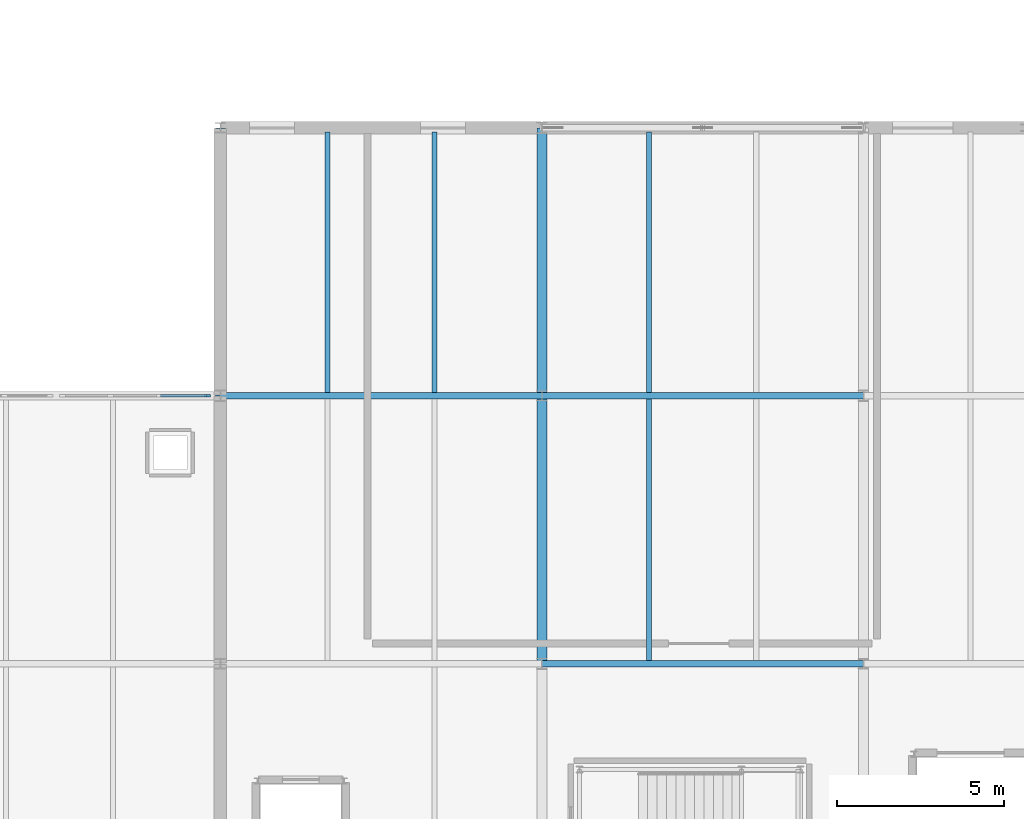
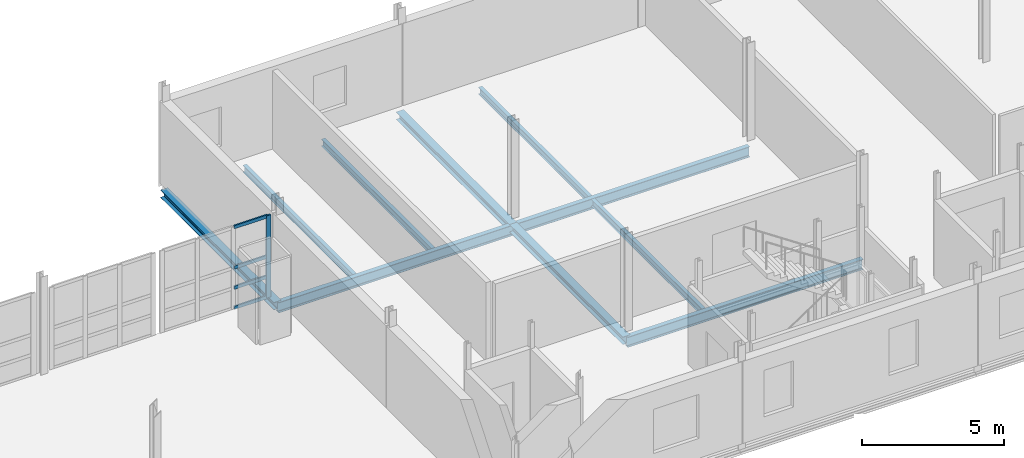
# One storey, part 38 of 73: 10 beams, 5 members, 1 element without a shape of its own.
"""IFC4 building model written with IfcOpenShell, lengths in metres."""

from ifc_helpers import new_model, si_unit, direction, frame, origin, origin_2d, place, context, subcontext, project, spatial, rectangle, i_section, extrude, material, layer, layer_set, material_profile, profile_set, type_object, element, aggregate, save


model = new_model("IFC4")

# Units and contexts
model_context = context("Model", 3, precision=1e-05, world=origin(), true_north=direction((0.0, 1.0)))
body_context = subcontext(model_context, "Body", "Model", "MODEL_VIEW")
ifc_project = project(units=[si_unit("LENGTHUNIT", "METRE"), si_unit("AREAUNIT", "SQUARE_METRE"), si_unit("VOLUMEUNIT", "CUBIC_METRE"), si_unit("PLANEANGLEUNIT", "RADIAN"), si_unit("MASSUNIT", "GRAM", prefix="KILO")], contexts=[model_context])

# Site, building, storey
site_placement = place(None, origin())
site = spatial("IfcSite", under=ifc_project, at=site_placement, CompositionType="ELEMENT")
building_placement = place(site_placement, origin())
building = spatial("IfcBuilding", under=site, at=building_placement, Name="Alderhovde Museum", CompositionType="ELEMENT")
storey_placement = place(building_placement, frame((0.0, 0.0, 12.89990234375)))
storey = spatial("IfcBuildingStorey", under=building, at=storey_placement, Name="L03", CompositionType="ELEMENT", Elevation=12.89990234375)

# Beams
ifc_material_1 = material(Name="Steel S355J2", Category="steel")
ifc_material_profile_1 = material_profile(ifc_material_1, i_section(OverallWidth=0.300048828125, OverallDepth=0.330078125, WebThickness=0.009521484375, FlangeThickness=0.0166015625, FilletRadius=0.027099609375, at=origin_2d()), Name="HEA 340")
ifc_profile_set_1 = profile_set([ifc_material_profile_1], Name="Steel S355J2")
beam_type_1 = type_object("IfcBeamType", Name="BM-HEA340", PredefinedType="BEAM", material=ifc_profile_set_1)
for number, where, z_axis, x_axis, name in (
    (1, (115.199951171875, 88.0, -0.48486328125), (0.0, 1.0, 0.0), (-1.0, 0.0, 0.0), "L03 Grid Beam X=115.2 (88.0 TO 96.0)"),
    (2, (124.800048828125, 80.0, -0.48486328125), (0.0, 1.0, 0.0), (-1.0, 0.0, 0.0), "L03 Grid Beam X=124.8 (80.0 TO 88.0)"),
    (3, (124.800048828125, 88.0, -0.48486328125), (0.0, 1.0, 0.0), (-1.0, 0.0, 0.0), "L03 Grid Beam X=124.8 (88.0 TO 96.0)"),
):
    element("IfcBeam", number, at=place(storey_placement, frame(where, z_axis=z_axis, x_axis=x_axis)), inside=storey, type_object=beam_type_1, Name=name, PredefinedType="BEAM", context=body_context, shape_type="SweptSolid", body=[
        extrude(i_section(OverallWidth=0.300048828125, OverallDepth=0.330078125, WebThickness=0.009521484375, FlangeThickness=0.0166015625, FilletRadius=0.027099609375, at=origin_2d()), origin(), (0.0, 0.0, 1.0), 8.0),
    ])
ifc_material_2 = material(Name="Steel S355J2", Category="steel")
ifc_material_profile_2 = material_profile(ifc_material_2, i_section(OverallWidth=0.18994140625, OverallDepth=0.449951171875, WebThickness=0.009521484375, FlangeThickness=0.0146484375, FilletRadius=0.02099609375, at=origin_2d()), Name="IPE 450")
ifc_profile_set_2 = profile_set([ifc_material_profile_2], Name="Steel S355J2")
beam_type_2 = type_object("IfcBeamType", Name="BM-IPE450", PredefinedType="BEAM", material=ifc_profile_set_2)
beam_1_placement = place(storey_placement, frame((124.800048828125, 80.0, -0.544921875), z_axis=(1.0, 0.0, 0.0), x_axis=(0.0, 1.0, 0.0)))
element("IfcBeam", 4, at=beam_1_placement, inside=storey, type_object=beam_type_2, Name="L03 Grid Beam Y=80.0 (124.8 TO 134.4)", PredefinedType="BEAM", context=body_context, shape_type="SweptSolid", body=[
    extrude(i_section(OverallWidth=0.18994140625, OverallDepth=0.449951171875, WebThickness=0.009521484375, FlangeThickness=0.0146484375, FilletRadius=0.02099609375, at=origin_2d()), origin(), (0.0, 0.0, 1.0), 9.599853515625),
])
beam_2_placement = place(storey_placement, frame((115.199951171875, 88.0, -0.544921875), z_axis=(1.0, 0.0, 0.0), x_axis=(0.0, 1.0, 0.0)))
element("IfcBeam", 5, at=beam_2_placement, inside=storey, type_object=beam_type_2, Name="L03 Grid Beam Y=88.0 (115.2 TO 124.8)", PredefinedType="BEAM", context=body_context, shape_type="SweptSolid", body=[
    extrude(i_section(OverallWidth=0.18994140625, OverallDepth=0.449951171875, WebThickness=0.009521484375, FlangeThickness=0.0146484375, FilletRadius=0.02099609375, at=origin_2d()), origin(), (0.0, 0.0, 1.0), 9.60009765625),
])
beam_3_placement = place(storey_placement, frame((124.800048828125, 88.0, -0.544921875), z_axis=(1.0, 0.0, 0.0), x_axis=(0.0, 1.0, 0.0)))
element("IfcBeam", 6, at=beam_3_placement, inside=storey, type_object=beam_type_2, Name="L03 Grid Beam Y=88.0 (124.8 TO 134.4)", PredefinedType="BEAM", context=body_context, shape_type="SweptSolid", body=[
    extrude(i_section(OverallWidth=0.18994140625, OverallDepth=0.449951171875, WebThickness=0.009521484375, FlangeThickness=0.0146484375, FilletRadius=0.02099609375, at=origin_2d()), origin(), (0.0, 0.0, 1.0), 9.599853515625),
])

# Curtain wall, members
ifc_material_3 = material(Name="Triple-Glazed Bronze-Anodised Curtain Wall", Category="glass")
ifc_layer = layer(ifc_material_3, 0.179931640625)
ifc_layer_set = layer_set([ifc_layer], Name="Triple-Glazed Bronze-Anodised Curtain Wall")
curtain_wall_type = type_object("IfcCurtainWallType", Name="CW-UNIT-440x354", PredefinedType="USERDEFINED", material=ifc_layer_set)
curtain_wall_placement = place(storey_placement, origin())
curtain_wall = element("IfcCurtainWall", 7, at=curtain_wall_placement, inside=storey, type_object=curtain_wall_type, Name="L03 Unitised Curtain Wall 55", ObjectType="UNITISED CURTAIN WALL", PredefinedType="USERDEFINED")
ifc_material_4 = material(Name="Bronze-Anodised Aluminium EN AW-6063-T6", Category="aluminium")
ifc_material_profile_3 = material_profile(ifc_material_4, rectangle(XDim=0.06494140625, YDim=0.179931640625, at=origin_2d()), Name="MULLION 65x180")
ifc_profile_set_3 = profile_set([ifc_material_profile_3], Name="Bronze-Anodised Aluminium EN AW-6063-T6")
member_type_1 = type_object("IfcMemberType", Name="CWM-65x180", PredefinedType="MULLION", material=ifc_profile_set_3)
member_1_placement = place(storey_placement, frame((114.8173828125, 88.0, 0.0), z_axis=(0.0, 0.0, 1.0), x_axis=(0.0, 1.0, 0.0)))
member_1 = element("IfcMember", 8, at=member_1_placement, type_object=member_type_1, Name="CW16 mullion 4", PredefinedType="MULLION", context=body_context, shape_type="SweptSolid", body=[
    extrude(rectangle(XDim=0.06494140625, YDim=0.179931640625, at=origin_2d()), origin(), (0.0, 0.0, 1.0), 3.5400390625),
])
ifc_material_5 = material(Name="Bronze-Anodised Aluminium EN AW-6063-T6", Category="aluminium")
ifc_material_profile_4 = material_profile(ifc_material_5, rectangle(XDim=0.06494140625, YDim=0.139892578125, at=origin_2d()), Name="TRANSOM 65x140")
ifc_profile_set_4 = profile_set([ifc_material_profile_4], Name="Bronze-Anodised Aluminium EN AW-6063-T6")
member_type_2 = type_object("IfcMemberType", Name="CWT-65x140", PredefinedType="USERDEFINED", material=ifc_profile_set_4)
member_2_placement = place(storey_placement, frame((113.415771484375, 88.0, 0.03271484375), z_axis=(1.0, 0.0, 0.0), x_axis=(0.0, 1.0, 0.0)))
member_2 = element("IfcMember", 9, at=member_2_placement, type_object=member_type_2, Name="CW16 transom 3.1", ObjectType="TRANSOM", PredefinedType="USERDEFINED", context=body_context, shape_type="SweptSolid", body=[
    extrude(rectangle(XDim=0.06494140625, YDim=0.139892578125, at=origin_2d()), origin(), (0.0, 0.0, 1.0), 1.369140625),
])
member_3_placement = place(storey_placement, frame((113.415771484375, 88.0, 0.900146484375), z_axis=(1.0, 0.0, 0.0), x_axis=(0.0, 1.0, 0.0)))
member_3 = element("IfcMember", 10, at=member_3_placement, type_object=member_type_2, Name="CW16 transom 3.2", ObjectType="TRANSOM", PredefinedType="USERDEFINED", context=body_context, shape_type="SweptSolid", body=[
    extrude(rectangle(XDim=0.06494140625, YDim=0.139892578125, at=origin_2d()), origin(), (0.0, 0.0, 1.0), 1.369140625),
])
member_4_placement = place(storey_placement, frame((113.415771484375, 88.0, 1.77001953125), z_axis=(1.0, 0.0, 0.0), x_axis=(0.0, 1.0, 0.0)))
member_4 = element("IfcMember", 11, at=member_4_placement, type_object=member_type_2, Name="CW16 transom 3.3", ObjectType="TRANSOM", PredefinedType="USERDEFINED", context=body_context, shape_type="SweptSolid", body=[
    extrude(rectangle(XDim=0.06494140625, YDim=0.139892578125, at=origin_2d()), origin(), (0.0, 0.0, 1.0), 1.369140625),
])
member_5_placement = place(storey_placement, frame((113.415771484375, 88.0, 3.507568359375), z_axis=(1.0, 0.0, 0.0), x_axis=(0.0, 1.0, 0.0)))
member_5 = element("IfcMember", 12, at=member_5_placement, type_object=member_type_2, Name="CW16 transom 3.4", ObjectType="TRANSOM", PredefinedType="USERDEFINED", context=body_context, shape_type="SweptSolid", body=[
    extrude(rectangle(XDim=0.06494140625, YDim=0.139892578125, at=origin_2d()), origin(), (0.0, 0.0, 1.0), 1.369140625),
])
aggregate(curtain_wall, [member_1, member_2, member_3, member_4, member_5])

# Beams
ifc_material_6 = material(Name="Steel S355J2", Category="steel")
ifc_material_profile_5 = material_profile(ifc_material_6, i_section(OverallWidth=0.14990234375, OverallDepth=0.300048828125, WebThickness=0.007080078125, FlangeThickness=0.0107421875, FilletRadius=0.014892578125, at=origin_2d()), Name="IPE 300")
ifc_profile_set_5 = profile_set([ifc_material_profile_5], Name="Steel S355J2")
beam_type_3 = type_object("IfcBeamType", Name="JST-IPE300", PredefinedType="JOIST", material=ifc_profile_set_5)
for number, where, z_axis, x_axis, name in (
    (13, (118.39990234375, 88.094970703125, -0.469970703125), (0.0, 1.0, 0.0), (-1.0, 0.0, 0.0), "L03 Composite Joist X=118.4 (88.0 TO 96.0)"),
    (14, (121.60009765625, 88.094970703125, -0.469970703125), (0.0, 1.0, 0.0), (-1.0, 0.0, 0.0), "L03 Composite Joist X=121.6 (88.0 TO 96.0)"),
):
    element("IfcBeam", number, at=place(storey_placement, frame(where, z_axis=z_axis, x_axis=x_axis)), inside=storey, type_object=beam_type_3, Name=name, PredefinedType="JOIST", context=body_context, shape_type="SweptSolid", body=[
        extrude(i_section(OverallWidth=0.14990234375, OverallDepth=0.300048828125, WebThickness=0.007080078125, FlangeThickness=0.0107421875, FilletRadius=0.014892578125, at=origin_2d()), origin(), (0.0, 0.0, 1.0), 7.775146484375),
    ])
beam_4_placement = place(storey_placement, frame((128.0, 80.094970703125, -0.469970703125), z_axis=(0.0, 1.0, 0.0), x_axis=(-1.0, 0.0, 0.0)))
element("IfcBeam", 15, at=beam_4_placement, inside=storey, type_object=beam_type_3, Name="L03 Composite Joist X=128.0 (80.0 TO 88.0)", PredefinedType="JOIST", context=body_context, shape_type="SweptSolid", body=[
    extrude(i_section(OverallWidth=0.14990234375, OverallDepth=0.300048828125, WebThickness=0.007080078125, FlangeThickness=0.0107421875, FilletRadius=0.014892578125, at=origin_2d()), origin(), (0.0, 0.0, 1.0), 7.81005859375),
])
beam_5_placement = place(storey_placement, frame((128.0, 88.094970703125, -0.469970703125), z_axis=(0.0, 1.0, 0.0), x_axis=(-1.0, 0.0, 0.0)))
element("IfcBeam", 16, at=beam_5_placement, inside=storey, type_object=beam_type_3, Name="L03 Composite Joist X=128.0 (88.0 TO 96.0)", PredefinedType="JOIST", context=body_context, shape_type="SweptSolid", body=[
    extrude(i_section(OverallWidth=0.14990234375, OverallDepth=0.300048828125, WebThickness=0.007080078125, FlangeThickness=0.0107421875, FilletRadius=0.014892578125, at=origin_2d()), origin(), (0.0, 0.0, 1.0), 7.775146484375),
])

save(model, "model.ifc")
